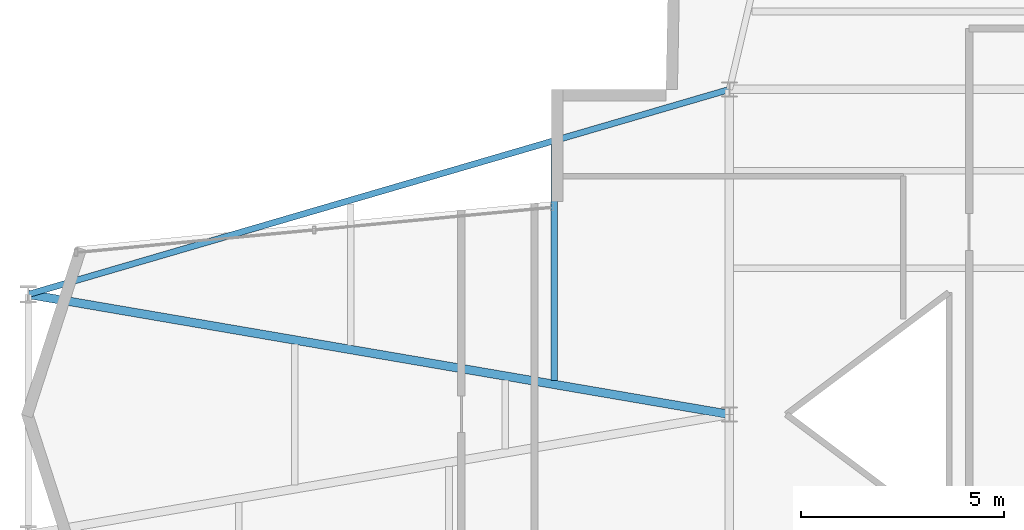
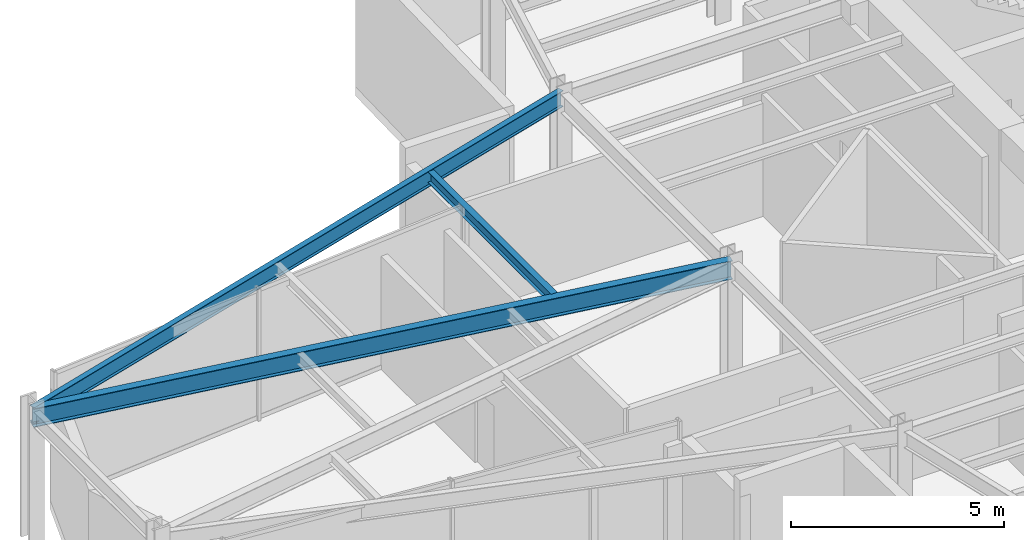
# One storey, part 9 of 21: 3 beams.
"""IFC4 building model written with IfcOpenShell, lengths in metres."""

from ifc_helpers import new_model, si_unit, direction, frame, origin, origin_2d, place, context, subcontext, project, spatial, i_section, extrude, material, material_profile, profile_set, type_object, element, save


model = new_model("IFC4")

# Units and contexts
model_context = context("Model", 3, precision=1e-05, world=origin(), true_north=direction((0.0, 1.0)))
body_context = subcontext(model_context, "Body", "Model", "MODEL_VIEW")
ifc_project = project(units=[si_unit("LENGTHUNIT", "METRE"), si_unit("AREAUNIT", "SQUARE_METRE"), si_unit("VOLUMEUNIT", "CUBIC_METRE"), si_unit("PLANEANGLEUNIT", "RADIAN"), si_unit("MASSUNIT", "GRAM", prefix="KILO")], contexts=[model_context])

# Site, building, storey
site_placement = place(None, origin())
site = spatial("IfcSite", under=ifc_project, at=site_placement, CompositionType="ELEMENT")
building_placement = place(site_placement, origin())
building = spatial("IfcBuilding", under=site, at=building_placement, Name="Veymaron Broadcast Tower", CompositionType="ELEMENT")
storey_placement = place(building_placement, frame((0.0, 0.0, 228.300048828125)))
storey = spatial("IfcBuildingStorey", under=building, at=storey_placement, Name="L53", CompositionType="ELEMENT", Elevation=228.300048828125)

# Beams
ifc_material = material(Name="Structural steel ASTM A992 Gr 50", Category="steel")
ifc_material_profile_1 = material_profile(ifc_material, i_section(OverallWidth=0.2099609375, OverallDepth=0.537109375, WebThickness=0.010986328125, FlangeThickness=0.017333984375, at=origin_2d()), Name="W530X101")
ifc_profile_set_1 = profile_set([ifc_material_profile_1], Name="Structural steel ASTM A992 Gr 50")
beam_type_1 = type_object("IfcBeamType", Name="BM-FG3", PredefinedType="BEAM", material=ifc_profile_set_1)
beam_1_placement = place(storey_placement, frame((13.94091796875, 26.955078125, 3.521484375), z_axis=(0.985656599332, -0.168763349671, 0.0), x_axis=(0.168763349671, 0.985656599332, 0.0)))
element("IfcBeam", 1, at=beam_1_placement, inside=storey, type_object=beam_type_1, Name="L53 primary structural floor girder", PredefinedType="BEAM", context=body_context, shape_type="SweptSolid", body=[
    extrude(i_section(OverallWidth=0.2099609375, OverallDepth=0.537109375, WebThickness=0.010986328125, FlangeThickness=0.017333984375, at=origin_2d()), origin(), (0.0, 0.0, 1.0), 17.51025390625),
])
ifc_material_profile_2 = material_profile(ifc_material, i_section(OverallWidth=0.1650390625, OverallDepth=0.31005859375, WebThickness=0.005859375, FlangeThickness=0.009765625, at=origin_2d()), Name="W310X39")
ifc_profile_set_2 = profile_set([ifc_material_profile_2], Name="Structural steel ASTM A992 Gr 50")
beam_type_2 = type_object("IfcBeamType", Name="BM-JS3", PredefinedType="JOIST", material=ifc_profile_set_2)
beam_2_placement = place(storey_placement, frame((26.88525390625, 24.8388671875, 3.635009765625), z_axis=(0.0, 1.0, 0.0), x_axis=(-1.0, 0.0, 0.0)))
element("IfcBeam", 2, at=beam_2_placement, inside=storey, type_object=beam_type_2, Name="L53 Arm-A secondary joist 2N", PredefinedType="JOIST", context=body_context, shape_type="SweptSolid", body=[
    extrude(i_section(OverallWidth=0.1650390625, OverallDepth=0.31005859375, WebThickness=0.005859375, FlangeThickness=0.009765625, at=origin_2d()), origin(), (0.0, 0.0, 1.0), 5.7998046875),
])
ifc_material_profile_3 = material_profile(ifc_material, i_section(OverallWidth=0.154052734375, OverallDepth=0.458984375, WebThickness=0.009033203125, FlangeThickness=0.015380859375, at=origin_2d()), Name="W460X68")
ifc_profile_set_3 = profile_set([ifc_material_profile_3], Name="Structural steel ASTM A992 Gr 50")
beam_type_3 = type_object("IfcBeamType", Name="BM-SP2", PredefinedType="SPANDREL", material=ifc_profile_set_3)
beam_3_placement = place(storey_placement, frame((13.94091796875, 26.955078125, 3.560546875), z_axis=(0.95983483944, 0.28056564472, 0.0), x_axis=(-0.28056564472, 0.95983483944, 0.0)))
element("IfcBeam", 3, at=beam_3_placement, inside=storey, type_object=beam_type_3, Name="L53 primary structural floor girder", PredefinedType="SPANDREL", context=body_context, shape_type="SweptSolid", body=[
    extrude(i_section(OverallWidth=0.154052734375, OverallDepth=0.458984375, WebThickness=0.009033203125, FlangeThickness=0.015380859375, at=origin_2d()), origin(), (0.0, 0.0, 1.0), 17.981201171875),
])

save(model, "model.ifc")
